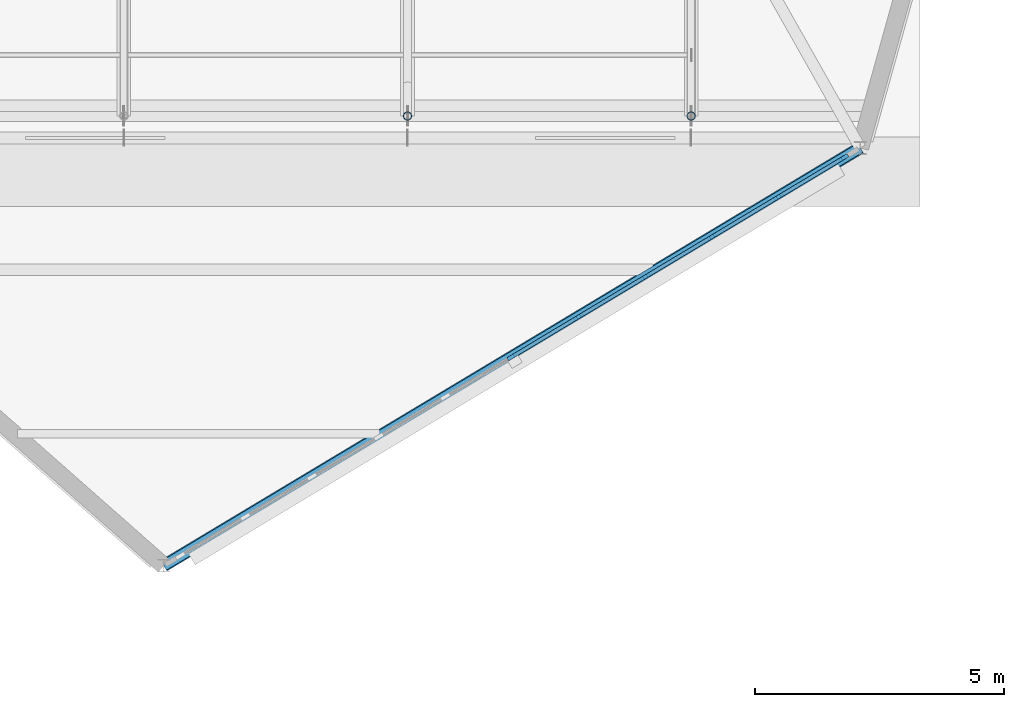
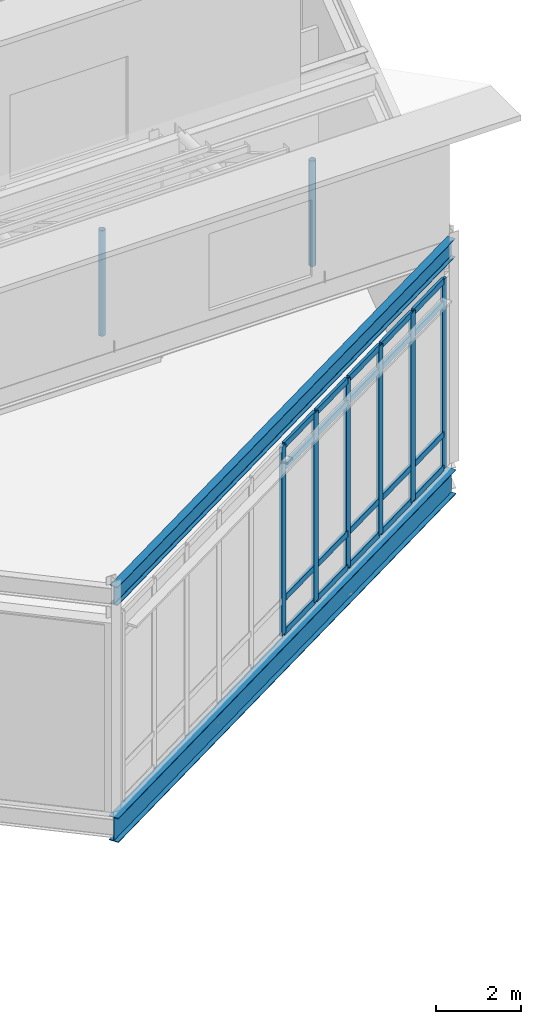
# One storey, part 13 of 55: 28 members, 2 beams, 1 element without a shape of its own.
"""IFC4 building model written with IfcOpenShell, lengths in metres."""

from ifc_helpers import new_model, si_unit, direction, frame, origin, origin_2d, place, context, subcontext, project, spatial, rectangle, hollow_circle, i_section, extrude, material, material_profile, profile_set, type_object, element, aggregate, save


model = new_model("IFC4")

# Units and contexts
model_context = context("Model", 3, precision=1e-05, world=origin(), true_north=direction((0.0, 1.0)))
body_context = subcontext(model_context, "Body", "Model", "MODEL_VIEW")
ifc_project = project(units=[si_unit("LENGTHUNIT", "METRE"), si_unit("AREAUNIT", "SQUARE_METRE"), si_unit("VOLUMEUNIT", "CUBIC_METRE"), si_unit("PLANEANGLEUNIT", "RADIAN"), si_unit("MASSUNIT", "GRAM", prefix="KILO")], contexts=[model_context])

# Site, building, storey
site_placement = place(None, origin())
site = spatial("IfcSite", under=ifc_project, at=site_placement, CompositionType="ELEMENT")
building_placement = place(site_placement, origin())
building = spatial("IfcBuilding", under=site, at=building_placement, Name="Tameran Prism Museum", CompositionType="ELEMENT")
storey_placement = place(building_placement, frame((0.0, 0.0, 28.800048828125)))
storey = spatial("IfcBuildingStorey", under=building, at=storey_placement, Name="L05", CompositionType="ELEMENT", Elevation=28.800048828125)

# Beams
ifc_material_1 = material(Name="Steel Grade 300PLUS (300 MPa)", Category="steel")
ifc_material_profile_1 = material_profile(ifc_material_1, i_section(OverallWidth=0.208984375, OverallDepth=0.528076171875, WebThickness=0.009521484375, FlangeThickness=0.01318359375, FilletRadius=0.013916015625, at=origin_2d()))
ifc_profile_set_1 = profile_set([ifc_material_profile_1])
beam_type_1 = type_object("IfcBeamType", Name="BM-SP530B", PredefinedType="SPANDREL", material=ifc_profile_set_1)
beam_1_placement = place(storey_placement, frame((125.5, 63.89990234375, 6.10595703125), z_axis=(0.857488967429, 0.51450235251, 0.0), x_axis=(-0.51450235251, 0.857488967429, 0.0)))
element("IfcBeam", 1, at=beam_1_placement, inside=storey, type_object=beam_type_1, Name="Roof Ring Beam RB-1257", PredefinedType="SPANDREL", context=body_context, shape_type="SweptSolid", body=[
    extrude(i_section(OverallWidth=0.208984375, OverallDepth=0.528076171875, WebThickness=0.009521484375, FlangeThickness=0.01318359375, FilletRadius=0.013916015625, at=origin_2d()), origin(), (0.0, 0.0, 1.0), 16.32666015625),
])
ifc_material_2 = material(Name="Steel Grade 350 (350 MPa)", Category="steel")
ifc_material_profile_2 = material_profile(ifc_material_2, i_section(OverallWidth=0.25, OverallDepth=0.699951171875, WebThickness=0.010009765625, FlangeThickness=0.02001953125, at=origin_2d()))
ifc_profile_set_2 = profile_set([ifc_material_profile_2])
beam_type_2 = type_object("IfcBeamType", Name="BM-SP700", PredefinedType="SPANDREL", material=ifc_profile_set_2)
beam_2_placement = place(storey_placement, frame((125.5, 63.89990234375, -0.590087890625), z_axis=(0.857488967429, 0.51450235251, 0.0), x_axis=(-0.51450235251, 0.857488967429, 0.0)))
element("IfcBeam", 2, at=beam_2_placement, inside=storey, type_object=beam_type_2, Name="Perimeter Spandrel SP-1252", PredefinedType="SPANDREL", context=body_context, shape_type="SweptSolid", body=[
    extrude(i_section(OverallWidth=0.25, OverallDepth=0.699951171875, WebThickness=0.010009765625, FlangeThickness=0.02001953125, at=origin_2d()), origin(), (0.0, 0.0, 1.0), 16.32666015625),
])

# Curtain wall, members
ifc_material_3 = material(Name="Anodised Aluminium 6063-T6 and Cyclone Solar Glass", Category="aluminium")
curtain_wall_type = type_object("IfcCurtainWallType", Name="CW-FAC-1563x542", PredefinedType="USERDEFINED", material=ifc_material_3)
curtain_wall_placement = place(storey_placement, origin())
curtain_wall = element("IfcCurtainWall", 3, at=curtain_wall_placement, inside=storey, type_object=curtain_wall_type, Name="Unitised Curtain Wall CW-165", ObjectType="UNITISED CURTAIN WALL", PredefinedType="USERDEFINED")
ifc_material_4 = material(Name="Anodised Aluminium Alloy 6063-T6", Category="aluminium")
ifc_material_profile_3 = material_profile(ifc_material_4, rectangle(XDim=0.074951171875, YDim=0.199951171875, at=origin_2d()))
ifc_profile_set_3 = profile_set([ifc_material_profile_3])
member_type_1 = type_object("IfcMemberType", Name="CW-MUL-C", PredefinedType="MULLION", material=ifc_profile_set_3)
member_1_placement = place(storey_placement, frame((139.167724609375, 72.1005859375, 0.0), z_axis=(0.0, 0.0, 1.0), x_axis=(0.514495755426, -0.857492925713, 0.0)))
member_1 = element("IfcMember", 4, at=member_1_placement, type_object=member_type_1, Name="CW-165 mullion 1", PredefinedType="MULLION", context=body_context, shape_type="SweptSolid", body=[
    extrude(rectangle(XDim=0.074951171875, YDim=0.199951171875, at=origin_2d()), origin(), (0.0, 0.0, 1.0), 5.419921875),
])
member_2_placement = place(storey_placement, frame((137.860107421875, 71.31591796875, 0.0), z_axis=(0.0, 0.0, 1.0), x_axis=(0.514495755426, -0.857492925713, 0.0)))
member_2 = element("IfcMember", 5, at=member_2_placement, type_object=member_type_1, Name="CW-165 mullion 2", PredefinedType="MULLION", context=body_context, shape_type="SweptSolid", body=[
    extrude(rectangle(XDim=0.074951171875, YDim=0.199951171875, at=origin_2d()), origin(), (0.0, 0.0, 1.0), 5.419921875),
])
member_3_placement = place(storey_placement, frame((136.52001953125, 70.511962890625, 0.0), z_axis=(0.0, 0.0, 1.0), x_axis=(0.514495755426, -0.857492925713, 0.0)))
member_3 = element("IfcMember", 6, at=member_3_placement, type_object=member_type_1, Name="CW-165 mullion 3", PredefinedType="MULLION", context=body_context, shape_type="SweptSolid", body=[
    extrude(rectangle(XDim=0.074951171875, YDim=0.199951171875, at=origin_2d()), origin(), (0.0, 0.0, 1.0), 5.419921875),
])
member_4_placement = place(storey_placement, frame((135.179931640625, 69.7080078125, 0.0), z_axis=(0.0, 0.0, 1.0), x_axis=(0.514495755426, -0.857492925713, 0.0)))
member_4 = element("IfcMember", 7, at=member_4_placement, type_object=member_type_1, Name="CW-165 mullion 4", PredefinedType="MULLION", context=body_context, shape_type="SweptSolid", body=[
    extrude(rectangle(XDim=0.074951171875, YDim=0.199951171875, at=origin_2d()), origin(), (0.0, 0.0, 1.0), 5.419921875),
])
member_5_placement = place(storey_placement, frame((133.840087890625, 68.904052734375, 0.0), z_axis=(0.0, 0.0, 1.0), x_axis=(0.514495755426, -0.857492925713, 0.0)))
member_5 = element("IfcMember", 8, at=member_5_placement, type_object=member_type_1, Name="CW-165 mullion 5", PredefinedType="MULLION", context=body_context, shape_type="SweptSolid", body=[
    extrude(rectangle(XDim=0.074951171875, YDim=0.199951171875, at=origin_2d()), origin(), (0.0, 0.0, 1.0), 5.419921875),
])
member_6_placement = place(storey_placement, frame((132.5, 68.10009765625, 0.0), z_axis=(0.0, 0.0, 1.0), x_axis=(0.514495755426, -0.857492925713, 0.0)))
member_6 = element("IfcMember", 9, at=member_6_placement, type_object=member_type_1, Name="CW-165 mullion 6", PredefinedType="MULLION", context=body_context, shape_type="SweptSolid", body=[
    extrude(rectangle(XDim=0.074951171875, YDim=0.199951171875, at=origin_2d()), origin(), (0.0, 0.0, 1.0), 5.419921875),
])
ifc_material_5 = material(Name="Anodised Aluminium Alloy 6063-T6", Category="aluminium")
ifc_material_profile_4 = material_profile(ifc_material_5, rectangle(XDim=0.074951171875, YDim=0.175048828125, at=origin_2d()))
ifc_profile_set_4 = profile_set([ifc_material_profile_4])
member_type_2 = type_object("IfcMemberType", Name="CW-TRN-C", PredefinedType="USERDEFINED", material=ifc_profile_set_4)
member_7_placement = place(storey_placement, frame((139.1357421875, 72.081298828125, 0.037353515625), z_axis=(-0.857522631296, -0.514446242882, 0.0), x_axis=(0.514446242882, -0.857522631296, 0.0)))
member_7 = element("IfcMember", 10, at=member_7_placement, type_object=member_type_2, Name="CW-165 transom 1.1", ObjectType="TRANSOM", PredefinedType="USERDEFINED", context=body_context, shape_type="SweptSolid", body=[
    extrude(rectangle(XDim=0.074951171875, YDim=0.175048828125, at=origin_2d()), origin(), (0.0, 0.0, 1.0), 1.4501953125),
])
member_8_placement = place(storey_placement, frame((139.1357421875, 72.081298828125, 1.0), z_axis=(-0.857522631296, -0.514446242882, 0.0), x_axis=(0.514446242882, -0.857522631296, 0.0)))
member_8 = element("IfcMember", 11, at=member_8_placement, type_object=member_type_2, Name="CW-165 transom 1.2", ObjectType="TRANSOM", PredefinedType="USERDEFINED", context=body_context, shape_type="SweptSolid", body=[
    extrude(rectangle(XDim=0.074951171875, YDim=0.175048828125, at=origin_2d()), origin(), (0.0, 0.0, 1.0), 1.4501953125),
])
member_9_placement = place(storey_placement, frame((139.1357421875, 72.081298828125, 4.739990234375), z_axis=(-0.857522631296, -0.514446242882, 0.0), x_axis=(0.514446242882, -0.857522631296, 0.0)))
member_9 = element("IfcMember", 12, at=member_9_placement, type_object=member_type_2, Name="CW-165 transom 1.3", ObjectType="TRANSOM", PredefinedType="USERDEFINED", context=body_context, shape_type="SweptSolid", body=[
    extrude(rectangle(XDim=0.074951171875, YDim=0.175048828125, at=origin_2d()), origin(), (0.0, 0.0, 1.0), 1.4501953125),
])
member_10_placement = place(storey_placement, frame((139.1357421875, 72.081298828125, 5.382568359375), z_axis=(-0.857522631296, -0.514446242882, 0.0), x_axis=(0.514446242882, -0.857522631296, 0.0)))
member_10 = element("IfcMember", 13, at=member_10_placement, type_object=member_type_2, Name="CW-165 transom 1.4", ObjectType="TRANSOM", PredefinedType="USERDEFINED", context=body_context, shape_type="SweptSolid", body=[
    extrude(rectangle(XDim=0.074951171875, YDim=0.175048828125, at=origin_2d()), origin(), (0.0, 0.0, 1.0), 1.4501953125),
])
member_11_placement = place(storey_placement, frame((137.827880859375, 71.296630859375, 0.037353515625), z_axis=(-0.857492925713, -0.514495755428, 0.0), x_axis=(0.514495755428, -0.857492925713, 0.0)))
member_11 = element("IfcMember", 14, at=member_11_placement, type_object=member_type_2, Name="CW-165 transom 2.1", ObjectType="TRANSOM", PredefinedType="USERDEFINED", context=body_context, shape_type="SweptSolid", body=[
    extrude(rectangle(XDim=0.074951171875, YDim=0.175048828125, at=origin_2d()), origin(), (0.0, 0.0, 1.0), 1.487548828125),
])
member_12_placement = place(storey_placement, frame((137.827880859375, 71.296630859375, 1.0), z_axis=(-0.857492925713, -0.514495755428, 0.0), x_axis=(0.514495755428, -0.857492925713, 0.0)))
member_12 = element("IfcMember", 15, at=member_12_placement, type_object=member_type_2, Name="CW-165 transom 2.2", ObjectType="TRANSOM", PredefinedType="USERDEFINED", context=body_context, shape_type="SweptSolid", body=[
    extrude(rectangle(XDim=0.074951171875, YDim=0.175048828125, at=origin_2d()), origin(), (0.0, 0.0, 1.0), 1.487548828125),
])
member_13_placement = place(storey_placement, frame((137.827880859375, 71.296630859375, 4.739990234375), z_axis=(-0.857492925713, -0.514495755428, 0.0), x_axis=(0.514495755428, -0.857492925713, 0.0)))
member_13 = element("IfcMember", 16, at=member_13_placement, type_object=member_type_2, Name="CW-165 transom 2.3", ObjectType="TRANSOM", PredefinedType="USERDEFINED", context=body_context, shape_type="SweptSolid", body=[
    extrude(rectangle(XDim=0.074951171875, YDim=0.175048828125, at=origin_2d()), origin(), (0.0, 0.0, 1.0), 1.487548828125),
])
member_14_placement = place(storey_placement, frame((137.827880859375, 71.296630859375, 5.382568359375), z_axis=(-0.857492925713, -0.514495755428, 0.0), x_axis=(0.514495755428, -0.857492925713, 0.0)))
member_14 = element("IfcMember", 17, at=member_14_placement, type_object=member_type_2, Name="CW-165 transom 2.4", ObjectType="TRANSOM", PredefinedType="USERDEFINED", context=body_context, shape_type="SweptSolid", body=[
    extrude(rectangle(XDim=0.074951171875, YDim=0.175048828125, at=origin_2d()), origin(), (0.0, 0.0, 1.0), 1.487548828125),
])
member_15_placement = place(storey_placement, frame((136.48779296875, 70.49267578125, 0.037353515625), z_axis=(-0.857492925713, -0.514495755428, 0.0), x_axis=(0.514495755428, -0.857492925713, 0.0)))
member_15 = element("IfcMember", 18, at=member_15_placement, type_object=member_type_2, Name="CW-165 transom 3.1", ObjectType="TRANSOM", PredefinedType="USERDEFINED", context=body_context, shape_type="SweptSolid", body=[
    extrude(rectangle(XDim=0.074951171875, YDim=0.175048828125, at=origin_2d()), origin(), (0.0, 0.0, 1.0), 1.487548828125),
])
member_16_placement = place(storey_placement, frame((136.48779296875, 70.49267578125, 1.0), z_axis=(-0.857492925713, -0.514495755428, 0.0), x_axis=(0.514495755428, -0.857492925713, 0.0)))
member_16 = element("IfcMember", 19, at=member_16_placement, type_object=member_type_2, Name="CW-165 transom 3.2", ObjectType="TRANSOM", PredefinedType="USERDEFINED", context=body_context, shape_type="SweptSolid", body=[
    extrude(rectangle(XDim=0.074951171875, YDim=0.175048828125, at=origin_2d()), origin(), (0.0, 0.0, 1.0), 1.487548828125),
])
member_17_placement = place(storey_placement, frame((136.48779296875, 70.49267578125, 4.739990234375), z_axis=(-0.857492925713, -0.514495755428, 0.0), x_axis=(0.514495755428, -0.857492925713, 0.0)))
member_17 = element("IfcMember", 20, at=member_17_placement, type_object=member_type_2, Name="CW-165 transom 3.3", ObjectType="TRANSOM", PredefinedType="USERDEFINED", context=body_context, shape_type="SweptSolid", body=[
    extrude(rectangle(XDim=0.074951171875, YDim=0.175048828125, at=origin_2d()), origin(), (0.0, 0.0, 1.0), 1.487548828125),
])
member_18_placement = place(storey_placement, frame((136.48779296875, 70.49267578125, 5.382568359375), z_axis=(-0.857492925713, -0.514495755428, 0.0), x_axis=(0.514495755428, -0.857492925713, 0.0)))
member_18 = element("IfcMember", 21, at=member_18_placement, type_object=member_type_2, Name="CW-165 transom 3.4", ObjectType="TRANSOM", PredefinedType="USERDEFINED", context=body_context, shape_type="SweptSolid", body=[
    extrude(rectangle(XDim=0.074951171875, YDim=0.175048828125, at=origin_2d()), origin(), (0.0, 0.0, 1.0), 1.487548828125),
])
member_19_placement = place(storey_placement, frame((135.14794921875, 69.688720703125, 0.037353515625), z_axis=(-0.857536358347, -0.514423360777, 0.0), x_axis=(0.514423360777, -0.857536358347, 0.0)))
member_19 = element("IfcMember", 22, at=member_19_placement, type_object=member_type_2, Name="CW-165 transom 4.1", ObjectType="TRANSOM", PredefinedType="USERDEFINED", context=body_context, shape_type="SweptSolid", body=[
    extrude(rectangle(XDim=0.074951171875, YDim=0.175048828125, at=origin_2d()), origin(), (0.0, 0.0, 1.0), 1.48779296875),
])
member_20_placement = place(storey_placement, frame((135.14794921875, 69.688720703125, 1.0), z_axis=(-0.857536358347, -0.514423360777, 0.0), x_axis=(0.514423360777, -0.857536358347, 0.0)))
member_20 = element("IfcMember", 23, at=member_20_placement, type_object=member_type_2, Name="CW-165 transom 4.2", ObjectType="TRANSOM", PredefinedType="USERDEFINED", context=body_context, shape_type="SweptSolid", body=[
    extrude(rectangle(XDim=0.074951171875, YDim=0.175048828125, at=origin_2d()), origin(), (0.0, 0.0, 1.0), 1.48779296875),
])
member_21_placement = place(storey_placement, frame((135.14794921875, 69.688720703125, 4.739990234375), z_axis=(-0.857536358347, -0.514423360777, 0.0), x_axis=(0.514423360777, -0.857536358347, 0.0)))
member_21 = element("IfcMember", 24, at=member_21_placement, type_object=member_type_2, Name="CW-165 transom 4.3", ObjectType="TRANSOM", PredefinedType="USERDEFINED", context=body_context, shape_type="SweptSolid", body=[
    extrude(rectangle(XDim=0.074951171875, YDim=0.175048828125, at=origin_2d()), origin(), (0.0, 0.0, 1.0), 1.48779296875),
])
member_22_placement = place(storey_placement, frame((135.14794921875, 69.688720703125, 5.382568359375), z_axis=(-0.857536358347, -0.514423360777, 0.0), x_axis=(0.514423360777, -0.857536358347, 0.0)))
member_22 = element("IfcMember", 25, at=member_22_placement, type_object=member_type_2, Name="CW-165 transom 4.4", ObjectType="TRANSOM", PredefinedType="USERDEFINED", context=body_context, shape_type="SweptSolid", body=[
    extrude(rectangle(XDim=0.074951171875, YDim=0.175048828125, at=origin_2d()), origin(), (0.0, 0.0, 1.0), 1.48779296875),
])
member_23_placement = place(storey_placement, frame((133.807861328125, 68.884765625, 0.037353515625), z_axis=(-0.857492925713, -0.514495755428, 0.0), x_axis=(0.514495755428, -0.857492925713, 0.0)))
member_23 = element("IfcMember", 26, at=member_23_placement, type_object=member_type_2, Name="CW-165 transom 5.1", ObjectType="TRANSOM", PredefinedType="USERDEFINED", context=body_context, shape_type="SweptSolid", body=[
    extrude(rectangle(XDim=0.074951171875, YDim=0.175048828125, at=origin_2d()), origin(), (0.0, 0.0, 1.0), 1.487548828125),
])
member_24_placement = place(storey_placement, frame((133.807861328125, 68.884765625, 1.0), z_axis=(-0.857492925713, -0.514495755428, 0.0), x_axis=(0.514495755428, -0.857492925713, 0.0)))
member_24 = element("IfcMember", 27, at=member_24_placement, type_object=member_type_2, Name="CW-165 transom 5.2", ObjectType="TRANSOM", PredefinedType="USERDEFINED", context=body_context, shape_type="SweptSolid", body=[
    extrude(rectangle(XDim=0.074951171875, YDim=0.175048828125, at=origin_2d()), origin(), (0.0, 0.0, 1.0), 1.487548828125),
])
member_25_placement = place(storey_placement, frame((133.807861328125, 68.884765625, 4.739990234375), z_axis=(-0.857492925713, -0.514495755428, 0.0), x_axis=(0.514495755428, -0.857492925713, 0.0)))
member_25 = element("IfcMember", 28, at=member_25_placement, type_object=member_type_2, Name="CW-165 transom 5.3", ObjectType="TRANSOM", PredefinedType="USERDEFINED", context=body_context, shape_type="SweptSolid", body=[
    extrude(rectangle(XDim=0.074951171875, YDim=0.175048828125, at=origin_2d()), origin(), (0.0, 0.0, 1.0), 1.487548828125),
])
member_26_placement = place(storey_placement, frame((133.807861328125, 68.884765625, 5.382568359375), z_axis=(-0.857492925713, -0.514495755428, 0.0), x_axis=(0.514495755428, -0.857492925713, 0.0)))
member_26 = element("IfcMember", 29, at=member_26_placement, type_object=member_type_2, Name="CW-165 transom 5.4", ObjectType="TRANSOM", PredefinedType="USERDEFINED", context=body_context, shape_type="SweptSolid", body=[
    extrude(rectangle(XDim=0.074951171875, YDim=0.175048828125, at=origin_2d()), origin(), (0.0, 0.0, 1.0), 1.487548828125),
])
aggregate(curtain_wall, [member_1, member_2, member_3, member_4, member_5, member_6, member_7, member_8, member_9, member_10, member_11, member_12, member_13, member_14, member_15, member_16, member_17, member_18, member_19, member_20, member_21, member_22, member_23, member_24, member_25, member_26])

# Members
ifc_material_6 = material(Name="Steel Grade C350L0 (350 MPa)", Category="steel")
ifc_material_profile_5 = material_profile(ifc_material_6, hollow_circle(Radius=0.084228515625, WallThickness=0.007080078125, at=origin_2d()))
ifc_profile_set_5 = profile_set([ifc_material_profile_5])
member_type_3 = type_object("IfcMemberType", Name="MM-BR-CHS168", PredefinedType="BRACE", material=ifc_profile_set_5)
for number, where, z_axis, x_axis, name in (
    (30, (130.39990234375, 72.93994140625, 6.385986328125), (0.0, 0.0, 1.0), (1.0, 0.0, 0.0), "Sawtooth Brace STM-0017"),
    (31, (136.10009765625, 72.93994140625, 6.385986328125), (0.0, 0.0, 1.0), (1.0, 0.0, 0.0), "Sawtooth Brace STM-0024"),
):
    element("IfcMember", number, at=place(storey_placement, frame(where, z_axis=z_axis, x_axis=x_axis)), inside=storey, type_object=member_type_3, Name=name, PredefinedType="BRACE", context=body_context, shape_type="SweptSolid", body=[
        extrude(hollow_circle(Radius=0.084228515625, WallThickness=0.007080078125, at=origin_2d()), origin(), (0.0, 0.0, 1.0), 3.02294921875),
    ])

save(model, "model.ifc")
